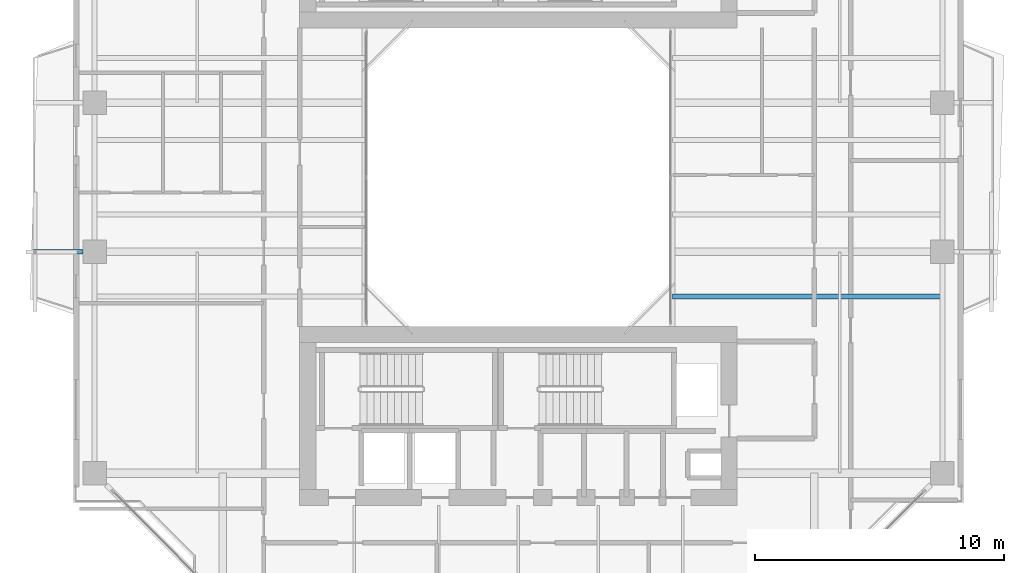
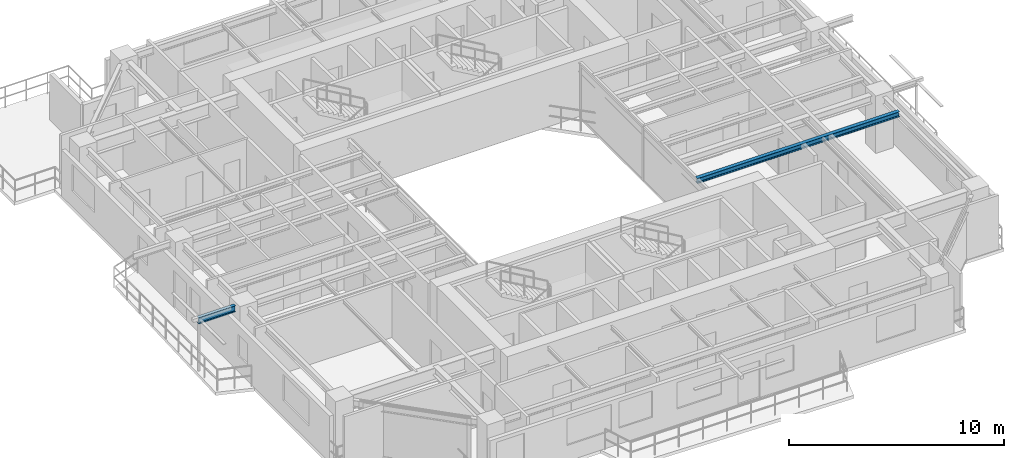
# One storey, part 3 of 17: 2 beams.
"""IFC4 building model written with IfcOpenShell, lengths in metres."""

import ifcopenshell
import ifcopenshell.guid

model = None  # the IFC model being written
_history = None  # IfcOwnerHistory: only IFC2X3 demands one
_inside = {}  # id of a spatial element -> (the spatial element, [elements in it])
_under = {}  # id of a project, library or spatial element -> (it, [spatial elements below it])
_declared = {}  # id of a project -> (the project, [libraries it declares])
_typed = {}  # id of a type object -> (the type object, [elements of that type])
_made_of = {}  # id of a material, layer set ... -> (it, [elements and type objects made of it])


def new_model(schema):
    """Start an empty IFC model of exactly this schema.

    Asked for "IFC4X3", IfcOpenShell would pick the latest addendum, in which some entities
    have other attributes; the version numbers below select the first issue.
    IFC2X3 requires an IfcOwnerHistory on every rooted entity: one is made here for all.
    """
    global model, _history
    if schema == "IFC4X3":
        model = ifcopenshell.file(schema_version=(4, 3, 0, 0))
    else:
        model = ifcopenshell.file(schema=schema)
    _inside.clear()
    _under.clear()
    _declared.clear()
    _typed.clear()
    _made_of.clear()
    _history = None
    if model.schema == "IFC2X3":
        org = make("IfcOrganization", Name="unknown")
        user = make(
            "IfcPersonAndOrganization",
            ThePerson=make("IfcPerson", FamilyName="unknown"),
            TheOrganization=org,
        )
        app = make(
            "IfcApplication",
            ApplicationDeveloper=org,
            Version="unknown",
            ApplicationFullName="unknown",
            ApplicationIdentifier="unknown",
        )
        _history = make(
            "IfcOwnerHistory",
            OwningUser=user,
            OwningApplication=app,
            ChangeAction="ADDED",
            CreationDate=0,
        )
    return model


def make(cls, **values):
    """One entity of the class cls with the attributes given. An attribute that is None is left unset."""
    return model.create_entity(
        cls, **{name: value for name, value in values.items() if value is not None}
    )


def rooted(cls, **values):
    """An entity with a GlobalId (a new one), such as an element, a storey or a relation."""
    return make(cls, GlobalId=ifcopenshell.guid.new(), OwnerHistory=_history, **values)


def si_unit(unit_type, name, prefix=None):
    """IfcSIUnit, for example si_unit("LENGTHUNIT", "METRE", prefix="MILLI")."""
    return make("IfcSIUnit", UnitType=unit_type, Prefix=prefix, Name=name)


def assignment(units):
    """IfcUnitAssignment: the units of a project."""
    return None if units is None else make("IfcUnitAssignment", Units=units)


def point(xyz):
    """IfcCartesianPoint."""
    return None if xyz is None else make("IfcCartesianPoint", Coordinates=xyz)


def direction(xyz):
    """IfcDirection."""
    return None if xyz is None else make("IfcDirection", DirectionRatios=xyz)


def frame(location, z_axis=None, x_axis=None):
    """IfcAxis2Placement3D, a coordinate frame: its origin and axes. An axis left out is left unset."""
    return make(
        "IfcAxis2Placement3D",
        Location=point(location),
        Axis=direction(z_axis),
        RefDirection=direction(x_axis),
    )


def frame_2d(location, x_axis=None):
    """IfcAxis2Placement2D, a coordinate frame in the plane: its origin and x axis."""
    return make(
        "IfcAxis2Placement2D", Location=point(location), RefDirection=direction(x_axis)
    )


def origin():
    """The frame at (0, 0, 0) with its axes left unset."""
    return frame((0.0, 0.0, 0.0))


def origin_2d():
    """The frame at (0, 0) in the plane with its x axis left unset."""
    return frame_2d((0.0, 0.0))


def place(relative_to, where):
    """IfcLocalPlacement: puts the frame where relative to a parent placement (None: the world)."""
    return make(
        "IfcLocalPlacement", PlacementRelTo=relative_to, RelativePlacement=where
    )


def context(
    kind, dimensions, precision=None, world=None, true_north=None, identifier=None
):
    """IfcGeometricRepresentationContext, for example the 3D "Model" context."""
    return make(
        "IfcGeometricRepresentationContext",
        ContextIdentifier=identifier,
        ContextType=kind,
        CoordinateSpaceDimension=dimensions,
        Precision=precision,
        WorldCoordinateSystem=world,
        TrueNorth=true_north,
    )


def subcontext(parent, identifier, kind, view, scale=None):
    """IfcGeometricRepresentationSubContext, for example "Body" below "Model"."""
    return make(
        "IfcGeometricRepresentationSubContext",
        ContextIdentifier=identifier,
        ContextType=kind,
        ParentContext=parent,
        TargetScale=scale,
        TargetView=view,
    )


def project(units=None, contexts=None):
    """IfcProject with its units and contexts."""
    return rooted(
        "IfcProject",
        Name="project",
        RepresentationContexts=contexts,
        UnitsInContext=assignment(units),
    )


def spatial(cls, under=None, at=None, **own):
    """A site, building, storey or space (cls), placed at a placement, below another one or the project."""
    s = rooted(cls, ObjectPlacement=at, **own)
    if under is not None:
        _under.setdefault(under.id(), (under, []))[1].append(s)
    return s


def profile(cls, at=None, kind="AREA", **sizes):
    """A parametric profile (cls). Its sizes go by their IFC names, for example OverallWidth=200.0."""
    return make(cls, ProfileType=kind, Position=at, **sizes)


def i_section(**sizes):
    """IfcIShapeProfileDef."""
    return profile("IfcIShapeProfileDef", **sizes)


def extrude(swept, where, along, depth):
    """IfcExtrudedAreaSolid: the profile swept, set in the frame where, extruded along a direction by depth."""
    return make(
        "IfcExtrudedAreaSolid",
        SweptArea=swept,
        Position=where,
        ExtrudedDirection=direction(along),
        Depth=depth,
    )


def shape(context_of_items, identifier, shape_type, items):
    """IfcShapeRepresentation: the items that make up one representation, for example the "Body"."""
    return make(
        "IfcShapeRepresentation",
        ContextOfItems=context_of_items,
        RepresentationIdentifier=identifier,
        RepresentationType=shape_type,
        Items=items,
    )


def source(mapping_origin, context_of_items, identifier, shape_type, items):
    """IfcRepresentationMap: a shape defined once, which mapped items show again and again."""
    return make(
        "IfcRepresentationMap",
        MappingOrigin=mapping_origin,
        MappedRepresentation=shape(context_of_items, identifier, shape_type, items),
    )


def transform(
    local_origin,
    x_axis=None,
    y_axis=None,
    z_axis=None,
    scale=None,
    scale2=None,
    scale3=None,
    uniform=True,
):
    """IfcCartesianTransformationOperator3D, or its non-uniform kind. x_axis, y_axis, z_axis: its Axis1, 2, 3."""
    if uniform:
        return make(
            "IfcCartesianTransformationOperator3D",
            Axis1=direction(x_axis),
            Axis2=direction(y_axis),
            LocalOrigin=point(local_origin),
            Scale=scale,
            Axis3=direction(z_axis),
        )
    return make(
        "IfcCartesianTransformationOperator3DnonUniform",
        Axis1=direction(x_axis),
        Axis2=direction(y_axis),
        LocalOrigin=point(local_origin),
        Scale=scale,
        Axis3=direction(z_axis),
        Scale2=scale2,
        Scale3=scale3,
    )


def mapped(mapping_source, mapping_target):
    """IfcMappedItem: shows the shape of a source again, moved by a transform."""
    return make(
        "IfcMappedItem", MappingSource=mapping_source, MappingTarget=mapping_target
    )


def material(Name=None, Category=None):
    """IfcMaterial."""
    return make("IfcMaterial", Name=Name, Category=Category)


def material_profile(
    of_material, cross_section, Name=None, Category=None, Priority=None
):
    """IfcMaterialProfile: a cross section and its material."""
    return make(
        "IfcMaterialProfile",
        Name=Name,
        Material=of_material,
        Profile=cross_section,
        Priority=Priority,
        Category=Category,
    )


def profile_set(profiles, Name=None, composite=None):
    """IfcMaterialProfileSet."""
    return make(
        "IfcMaterialProfileSet",
        Name=Name,
        MaterialProfiles=profiles,
        CompositeProfile=composite,
    )


def made_of(thing, what):
    """Note that an element or type object is made of a material, layer set ...; save() writes the relation."""
    if what is not None:
        _made_of.setdefault(what.id(), (what, []))[1].append(thing)
    return thing


def type_object(cls, material=None, **own):
    """A type object (cls), such as IfcWallType, which elements share."""
    return made_of(rooted(cls, **own), material)


def element(
    cls,
    number,
    at=None,
    inside=None,
    cuts=None,
    type_object=None,
    material=None,
    context=None,
    identifier="Body",
    shape_type=None,
    held_by="IfcProductDefinitionShape",
    body=None,
    shapes=None,
    **own,
):
    """One element of the class cls, such as IfcWall. Its Tag is "e" and its number.

    at: its placement. inside: the storey or other place that contains it. cuts: it is an
    opening in that element (IfcRelVoidsElement). A single representation is given by context,
    identifier, shape_type and body (its items); several are given by shapes. held_by: the class
    of the entity that holds the representations. save() writes the other relations.
    """
    e = rooted(cls, Tag="e%d" % number, ObjectPlacement=at, **own)
    if body is not None:
        shapes = [shape(context, identifier, shape_type, body)]
    if shapes is not None:
        e.Representation = make(held_by, Representations=shapes)
    if inside is not None:
        _inside.setdefault(inside.id(), (inside, []))[1].append(e)
    if cuts is not None:
        rooted(
            "IfcRelVoidsElement", RelatingBuildingElement=cuts, RelatedOpeningElement=e
        )
    if type_object is not None:
        _typed.setdefault(type_object.id(), (type_object, []))[1].append(e)
    return made_of(e, material)


def aggregate(whole, parts):
    """IfcRelAggregates: a whole, such as a stair, and the parts it consists of."""
    return rooted("IfcRelAggregates", RelatingObject=whole, RelatedObjects=parts)


def save(model, path):
    """Write the relations noted so far, then the file.

    IfcRelAggregates (storeys below a building ...), IfcRelContainedInSpatialStructure (elements
    in a storey), IfcRelDefinesByType, IfcRelAssociatesMaterial and IfcRelDeclares: one each for
    every whole, place, type object, material and project.
    """
    for whole, parts in _under.values():
        aggregate(whole, parts)
    for where, things in _inside.values():
        rooted(
            "IfcRelContainedInSpatialStructure",
            RelatedElements=things,
            RelatingStructure=where,
        )
    for kind, things in _typed.values():
        rooted("IfcRelDefinesByType", RelatedObjects=things, RelatingType=kind)
    for what, things in _made_of.values():
        rooted("IfcRelAssociatesMaterial", RelatedObjects=things, RelatingMaterial=what)
    for by, libraries in _declared.values():
        rooted("IfcRelDeclares", RelatingContext=by, RelatedDefinitions=libraries)
    model.write(path)


model = new_model("IFC4")

# Units and contexts
model_context = context("Model", 3, precision=1e-05, world=origin(), true_north=direction((0.0, 1.0)))
body_context = subcontext(model_context, "Body", "Model", "MODEL_VIEW")
ifc_project = project(units=[si_unit("LENGTHUNIT", "METRE"), si_unit("AREAUNIT", "SQUARE_METRE"), si_unit("VOLUMEUNIT", "CUBIC_METRE"), si_unit("PLANEANGLEUNIT", "RADIAN"), si_unit("MASSUNIT", "GRAM", prefix="KILO"), si_unit("THERMODYNAMICTEMPERATUREUNIT", "KELVIN"), si_unit("POWERUNIT", "WATT")], contexts=[model_context])

# Site, building, storey
site_placement = place(None, origin())
site = spatial("IfcSite", under=ifc_project, at=site_placement, CompositionType="ELEMENT")
building_placement = place(site_placement, origin())
building = spatial("IfcBuilding", under=site, at=building_placement, Name="Qiaomeng Ring Towers", CompositionType="ELEMENT")
storey_placement = place(building_placement, frame((0.0, 0.0, 143.75)))
storey = spatial("IfcBuildingStorey", under=building, at=storey_placement, Name="L41", CompositionType="ELEMENT", Elevation=143.75)

# Beams
ifc_material = material(Name="Steel Q355B", Category="steel")
ifc_material_profile_1 = material_profile(ifc_material, i_section(OverallWidth=0.199951171875, OverallDepth=0.2939453125, WebThickness=0.008056640625, FlangeThickness=0.011962890625, FilletRadius=0.01806640625, at=origin_2d()), Name="HM 294x200x8x12")
ifc_profile_set_1 = profile_set([ifc_material_profile_1], Name="Steel Q355B")
beam_type_1 = type_object("IfcBeamType", Name="STR-BM-HM294", PredefinedType="JOIST", material=ifc_profile_set_1)
shared_shape_1 = source(origin(), body_context, "Body", "SweptSolid", [
    extrude(i_section(OverallWidth=0.199951171875, OverallDepth=0.2939453125, WebThickness=0.008056640625, FlangeThickness=0.011962890625, FilletRadius=0.01806640625, at=origin_2d()), origin(), (0.0, 0.0, 1.0), 10.85009765625),
])
beam_1_placement = place(storey_placement, frame((25.199951171875, 18.199951171875, 2.923095703125), z_axis=(1.0, 0.0, 0.0), x_axis=(0.0, 1.0, 0.0)))
element("IfcBeam", 1, at=beam_1_placement, inside=storey, type_object=beam_type_1, Name="L41 beam STR-JST-L41-T1E-1", PredefinedType="JOIST", context=body_context, shape_type="MappedRepresentation", body=[
    mapped(shared_shape_1, transform((0.0, 0.0, 0.0), x_axis=(1.0, 0.0, 0.0), y_axis=(0.0, 1.0, 0.0), z_axis=(0.0, 0.0, 1.0), scale=1.0)),
])
ifc_material_profile_2 = material_profile(ifc_material, i_section(OverallWidth=0.175048828125, OverallDepth=0.35009765625, WebThickness=0.007080078125, FlangeThickness=0.010986328125, FilletRadius=0.013916015625, at=origin_2d()), Name="HN 350x175x7x11")
ifc_profile_set_2 = profile_set([ifc_material_profile_2], Name="Steel Q355B")
beam_type_2 = type_object("IfcBeamType", Name="STR-BM-HN350", PredefinedType="JOIST", material=ifc_profile_set_2)
shared_shape_2 = source(origin(), body_context, "Body", "SweptSolid", [
    extrude(i_section(OverallWidth=0.175048828125, OverallDepth=0.35009765625, WebThickness=0.007080078125, FlangeThickness=0.010986328125, FilletRadius=0.013916015625, at=origin_2d()), origin(), (0.0, 0.0, 1.0), 1.97607421875),
])
beam_2_placement = place(storey_placement, frame((-0.5, 20.0, 2.89501953125), z_axis=(1.0, 0.0, 0.0), x_axis=(0.0, 1.0, 0.0)))
element("IfcBeam", 2, at=beam_2_placement, inside=storey, type_object=beam_type_2, Name="L41 beam STR-BALBM-L41-W2", PredefinedType="JOIST", context=body_context, shape_type="MappedRepresentation", body=[
    mapped(shared_shape_2, transform((0.0, 0.0, 0.0), x_axis=(1.0, 0.0, 0.0), y_axis=(0.0, 1.0, 0.0), z_axis=(0.0, 0.0, 1.0), scale=1.0)),
])

save(model, "model.ifc")
